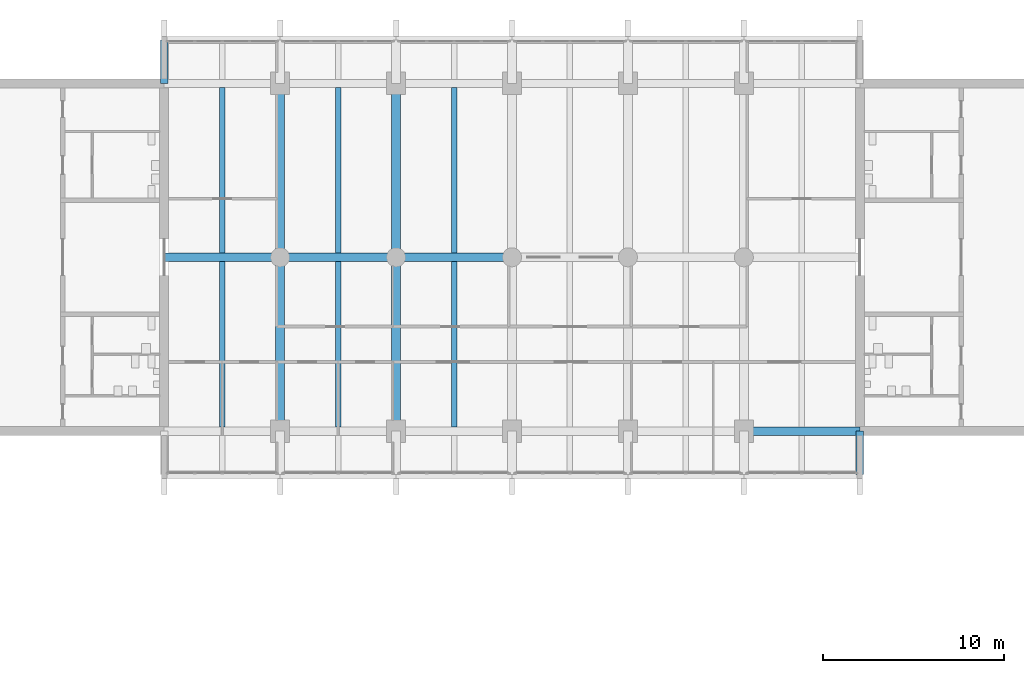
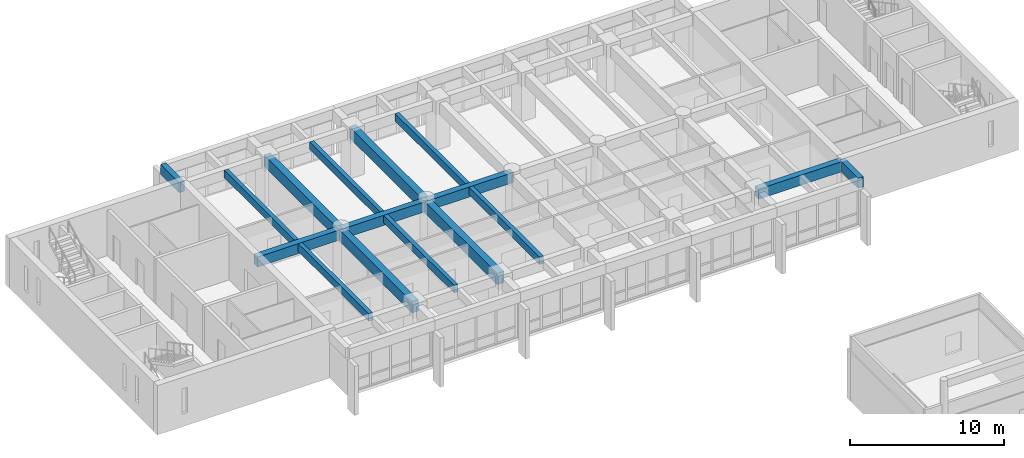
# One storey, part 4 of 19: 16 beams.
"""IFC4 building model written with IfcOpenShell, lengths in metres."""

from ifc_helpers import new_model, si_unit, direction, frame, origin, origin_2d, place, context, subcontext, project, spatial, rectangle, extrude, material, material_profile, profile_set, type_object, element, save


model = new_model("IFC4")

# Units and contexts
model_context = context("Model", 3, precision=1e-05, world=origin(), true_north=direction((0.0, 1.0)))
body_context = subcontext(model_context, "Body", "Model", "MODEL_VIEW")
ifc_project = project(units=[si_unit("LENGTHUNIT", "METRE"), si_unit("AREAUNIT", "SQUARE_METRE"), si_unit("VOLUMEUNIT", "CUBIC_METRE"), si_unit("PLANEANGLEUNIT", "RADIAN"), si_unit("MASSUNIT", "GRAM", prefix="KILO")], contexts=[model_context])

# Site, building, storey
site_placement = place(None, origin())
site = spatial("IfcSite", under=ifc_project, at=site_placement, CompositionType="ELEMENT")
building_placement = place(site_placement, origin())
building = spatial("IfcBuilding", under=site, at=building_placement, Name="Fogon Plaza Fire Station and Headquarters Tower", CompositionType="ELEMENT")
storey_placement = place(building_placement, frame((0.0, 0.0, 24.89990234375)))
storey = spatial("IfcBuildingStorey", under=building, at=storey_placement, Name="L06", CompositionType="ELEMENT", Elevation=24.89990234375)

# Beams
ifc_material_1 = material(Name="Concrete C40", Category="concrete")
ifc_material_profile_1 = material_profile(ifc_material_1, rectangle(XDim=0.39990234375, YDim=0.800048828125, at=origin_2d()), Name="RC 400x800")
ifc_profile_set_1 = profile_set([ifc_material_profile_1], Name="Concrete C40")
beam_type_1 = type_object("IfcBeamType", Name="BEAM RC 400x800 SPAN 0.0 TO 3.0 M", PredefinedType="BEAM", material=ifc_profile_set_1)
beam_1_placement = place(storey_placement, frame((25.60009765625, 52.800048828125, 3.280029296875), z_axis=(0.0, 1.0, 0.0), x_axis=(-1.0, 0.0, 0.0)))
element("IfcBeam", 1, at=beam_1_placement, inside=storey, type_object=beam_type_1, Name="beam-L06-052", PredefinedType="BEAM", context=body_context, shape_type="SweptSolid", body=[
    extrude(rectangle(XDim=0.39990234375, YDim=0.800048828125, at=origin_2d()), origin(), (0.0, 0.0, 1.0), 2.39990234375),
])
beam_2_placement = place(storey_placement, frame((64.0, 31.199951171875, 3.280029296875), z_axis=(0.0, 1.0, 0.0), x_axis=(-1.0, 0.0, 0.0)))
element("IfcBeam", 2, at=beam_2_placement, inside=storey, type_object=beam_type_1, Name="beam-L06-053", PredefinedType="BEAM", context=body_context, shape_type="SweptSolid", body=[
    extrude(rectangle(XDim=0.39990234375, YDim=0.800048828125, at=origin_2d()), origin(), (0.0, 0.0, 1.0), 2.400146484375),
])
ifc_material_2 = material(Name="Concrete C40", Category="concrete")
ifc_material_profile_2 = material_profile(ifc_material_2, rectangle(XDim=0.449951171875, YDim=0.800048828125, at=origin_2d()), Name="RC 450x800")
ifc_profile_set_2 = profile_set([ifc_material_profile_2], Name="Concrete C40")
beam_type_2 = type_object("IfcBeamType", Name="BEAM RC 450x800", PredefinedType="BEAM", material=ifc_profile_set_2)
for number, where, z_axis, x_axis, name in (
    (3, (57.60009765625, 33.60009765625, 3.280029296875), (1.0, 0.0, 0.0), (0.0, 1.0, 0.0), "beam-L06-026"),
    (4, (25.60009765625, 43.199951171875, 3.280029296875), (1.0, 0.0, 0.0), (0.0, 1.0, 0.0), "beam-L06-027"),
    (5, (32.0, 43.199951171875, 3.280029296875), (1.0, 0.0, 0.0), (0.0, 1.0, 0.0), "beam-L06-028"),
):
    element("IfcBeam", number, at=place(storey_placement, frame(where, z_axis=z_axis, x_axis=x_axis)), inside=storey, type_object=beam_type_2, Name=name, PredefinedType="BEAM", context=body_context, shape_type="SweptSolid", body=[
        extrude(rectangle(XDim=0.449951171875, YDim=0.800048828125, at=origin_2d()), origin(), (0.0, 0.0, 1.0), 6.39990234375),
    ])
beam_3_placement = place(storey_placement, frame((38.39990234375, 43.199951171875, 3.280029296875), z_axis=(1.0, 0.0, 0.0), x_axis=(0.0, 1.0, 0.0)))
element("IfcBeam", 6, at=beam_3_placement, inside=storey, type_object=beam_type_2, Name="beam-L06-029", PredefinedType="BEAM", context=body_context, shape_type="SweptSolid", body=[
    extrude(rectangle(XDim=0.449951171875, YDim=0.800048828125, at=origin_2d()), origin(), (0.0, 0.0, 1.0), 6.400146484375),
])
ifc_material_3 = material(Name="Concrete C40", Category="concrete")
ifc_material_profile_3 = material_profile(ifc_material_3, rectangle(XDim=0.5, YDim=0.89990234375, at=origin_2d()), Name="RC 500x900")
ifc_profile_set_3 = profile_set([ifc_material_profile_3], Name="Concrete C40")
beam_type_3 = type_object("IfcBeamType", Name="BEAM RC 500x900 SPAN 7.7 TO 12.3 M", PredefinedType="BEAM", material=ifc_profile_set_3)
beam_4_placement = place(storey_placement, frame((32.0, 33.60009765625, 3.22998046875), z_axis=(0.0, 1.0, 0.0), x_axis=(-1.0, 0.0, 0.0)))
element("IfcBeam", 7, at=beam_4_placement, inside=storey, type_object=beam_type_3, Name="beam-L06-002", PredefinedType="BEAM", context=body_context, shape_type="SweptSolid", body=[
    extrude(rectangle(XDim=0.5, YDim=0.89990234375, at=origin_2d()), origin(), (0.0, 0.0, 1.0), 9.599853515625),
])
beam_5_placement = place(storey_placement, frame((32.0, 43.199951171875, 3.22998046875), z_axis=(0.0, 1.0, 0.0), x_axis=(-1.0, 0.0, 0.0)))
element("IfcBeam", 8, at=beam_5_placement, inside=storey, type_object=beam_type_3, Name="beam-L06-003", PredefinedType="BEAM", context=body_context, shape_type="SweptSolid", body=[
    extrude(rectangle(XDim=0.5, YDim=0.89990234375, at=origin_2d()), origin(), (0.0, 0.0, 1.0), 9.60009765625),
])
beam_6_placement = place(storey_placement, frame((38.39990234375, 33.60009765625, 3.22998046875), z_axis=(0.0, 1.0, 0.0), x_axis=(-1.0, 0.0, 0.0)))
element("IfcBeam", 9, at=beam_6_placement, inside=storey, type_object=beam_type_3, Name="beam-L06-006", PredefinedType="BEAM", context=body_context, shape_type="SweptSolid", body=[
    extrude(rectangle(XDim=0.5, YDim=0.89990234375, at=origin_2d()), origin(), (0.0, 0.0, 1.0), 9.599853515625),
])
beam_7_placement = place(storey_placement, frame((38.39990234375, 43.199951171875, 3.22998046875), z_axis=(0.0, 1.0, 0.0), x_axis=(-1.0, 0.0, 0.0)))
element("IfcBeam", 10, at=beam_7_placement, inside=storey, type_object=beam_type_3, Name="beam-L06-007", PredefinedType="BEAM", context=body_context, shape_type="SweptSolid", body=[
    extrude(rectangle(XDim=0.5, YDim=0.89990234375, at=origin_2d()), origin(), (0.0, 0.0, 1.0), 9.60009765625),
])
ifc_material_4 = material(Name="Concrete C40", Category="concrete")
ifc_material_profile_4 = material_profile(ifc_material_4, rectangle(XDim=0.300048828125, YDim=0.60009765625, at=origin_2d()), Name="RC 300x600")
ifc_profile_set_4 = profile_set([ifc_material_profile_4], Name="Concrete C40")
beam_type_4 = type_object("IfcBeamType", Name="JOIST RC 300x600", PredefinedType="JOIST", material=ifc_profile_set_4)
beam_8_placement = place(storey_placement, frame((28.800048828125, 33.824951171875, 3.380126953125), z_axis=(0.0, 1.0, 0.0), x_axis=(-1.0, 0.0, 0.0)))
element("IfcBeam", 11, at=beam_8_placement, inside=storey, type_object=beam_type_4, Name="beam-L06-056", PredefinedType="JOIST", context=body_context, shape_type="SweptSolid", body=[
    extrude(rectangle(XDim=0.300048828125, YDim=0.60009765625, at=origin_2d()), origin(), (0.0, 0.0, 1.0), 9.150146484375),
])
beam_9_placement = place(storey_placement, frame((28.800048828125, 43.425048828125, 3.380126953125), z_axis=(0.0, 1.0, 0.0), x_axis=(-1.0, 0.0, 0.0)))
element("IfcBeam", 12, at=beam_9_placement, inside=storey, type_object=beam_type_4, Name="beam-L06-057", PredefinedType="JOIST", context=body_context, shape_type="SweptSolid", body=[
    extrude(rectangle(XDim=0.300048828125, YDim=0.60009765625, at=origin_2d()), origin(), (0.0, 0.0, 1.0), 9.14990234375),
])
beam_10_placement = place(storey_placement, frame((35.199951171875, 33.824951171875, 3.380126953125), z_axis=(0.0, 1.0, 0.0), x_axis=(-1.0, 0.0, 0.0)))
element("IfcBeam", 13, at=beam_10_placement, inside=storey, type_object=beam_type_4, Name="beam-L06-060", PredefinedType="JOIST", context=body_context, shape_type="SweptSolid", body=[
    extrude(rectangle(XDim=0.300048828125, YDim=0.60009765625, at=origin_2d()), origin(), (0.0, 0.0, 1.0), 9.150146484375),
])
beam_11_placement = place(storey_placement, frame((35.199951171875, 43.425048828125, 3.380126953125), z_axis=(0.0, 1.0, 0.0), x_axis=(-1.0, 0.0, 0.0)))
element("IfcBeam", 14, at=beam_11_placement, inside=storey, type_object=beam_type_4, Name="beam-L06-061", PredefinedType="JOIST", context=body_context, shape_type="SweptSolid", body=[
    extrude(rectangle(XDim=0.300048828125, YDim=0.60009765625, at=origin_2d()), origin(), (0.0, 0.0, 1.0), 9.14990234375),
])
beam_12_placement = place(storey_placement, frame((41.60009765625, 33.824951171875, 3.380126953125), z_axis=(0.0, 1.0, 0.0), x_axis=(-1.0, 0.0, 0.0)))
element("IfcBeam", 15, at=beam_12_placement, inside=storey, type_object=beam_type_4, Name="beam-L06-064", PredefinedType="JOIST", context=body_context, shape_type="SweptSolid", body=[
    extrude(rectangle(XDim=0.300048828125, YDim=0.60009765625, at=origin_2d()), origin(), (0.0, 0.0, 1.0), 9.150146484375),
])
beam_13_placement = place(storey_placement, frame((41.60009765625, 43.425048828125, 3.380126953125), z_axis=(0.0, 1.0, 0.0), x_axis=(-1.0, 0.0, 0.0)))
element("IfcBeam", 16, at=beam_13_placement, inside=storey, type_object=beam_type_4, Name="beam-L06-065", PredefinedType="JOIST", context=body_context, shape_type="SweptSolid", body=[
    extrude(rectangle(XDim=0.300048828125, YDim=0.60009765625, at=origin_2d()), origin(), (0.0, 0.0, 1.0), 9.14990234375),
])

save(model, "model.ifc")
